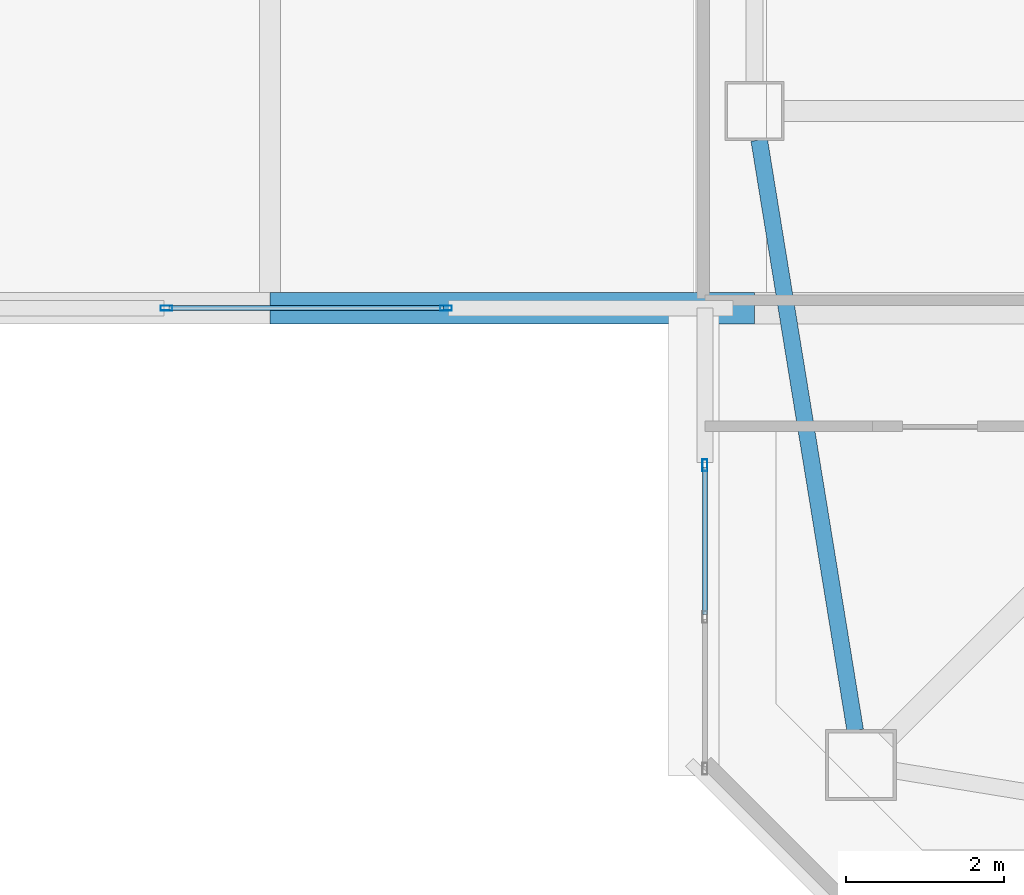
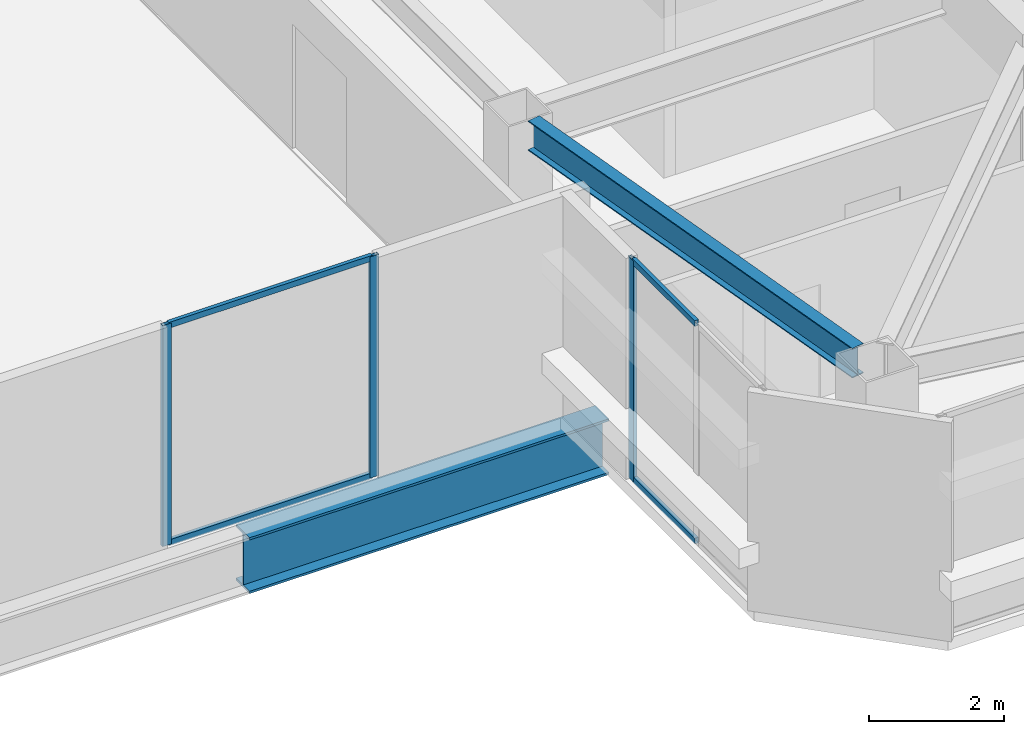
# One storey, part 5 of 51: 7 members, 2 beams, 2 elements without a shape of their own.
"""IFC4 building model written with IfcOpenShell, lengths in metres."""

from ifc_helpers import new_model, si_unit, direction, frame, origin, origin_2d, place, context, subcontext, project, spatial, hollow_rectangle, i_section, extrude, material, material_profile, profile_set, type_object, element, aggregate, save


model = new_model("IFC4")

# Units and contexts
model_context = context("Model", 3, precision=1e-05, world=origin(), true_north=direction((0.0, 1.0)))
body_context = subcontext(model_context, "Body", "Model", "MODEL_VIEW")
ifc_project = project(units=[si_unit("LENGTHUNIT", "METRE"), si_unit("AREAUNIT", "SQUARE_METRE"), si_unit("VOLUMEUNIT", "CUBIC_METRE"), si_unit("PLANEANGLEUNIT", "RADIAN"), si_unit("MASSUNIT", "GRAM", prefix="KILO")], contexts=[model_context])

# Site, building, storey
site_placement = place(None, origin())
site = spatial("IfcSite", under=ifc_project, at=site_placement, CompositionType="ELEMENT")
building_placement = place(site_placement, origin())
building = spatial("IfcBuilding", under=site, at=building_placement, Name="Tashvorn Skyway Center", CompositionType="ELEMENT")
storey_placement = place(building_placement, frame((0.0, 0.0, 251.39990234375)))
storey = spatial("IfcBuildingStorey", under=building, at=storey_placement, Name="L68", CompositionType="ELEMENT", Elevation=251.39990234375)

# Beams
ifc_material_1 = material(Name="Steel ASTM A913 Grade 65", Category="steel")
ifc_material_profile_1 = material_profile(ifc_material_1, i_section(OverallWidth=0.40087890625, OverallDepth=1.010986328125, WebThickness=0.023681640625, FlangeThickness=0.0419921875, at=origin_2d()), Name="W40X297")
ifc_profile_set_1 = profile_set([ifc_material_profile_1], Name="Steel ASTM A913 Grade 65")
beam_type_1 = type_object("IfcBeamType", Name="BM-BEAM-W40X297", PredefinedType="BEAM", material=ifc_profile_set_1)
beam_1_placement = place(storey_placement, frame((20.800048828125, 24.10009765625, -0.725341796875), z_axis=(1.0, 0.0, 0.0), x_axis=(0.0, 1.0, 0.0)))
element("IfcBeam", 1, at=beam_1_placement, inside=storey, type_object=beam_type_1, Name="Sky-Park Truss 1 Bottom Chord Panel 04", PredefinedType="BEAM", context=body_context, shape_type="SweptSolid", body=[
    extrude(i_section(OverallWidth=0.40087890625, OverallDepth=1.010986328125, WebThickness=0.023681640625, FlangeThickness=0.0419921875, at=origin_2d()), origin(), (0.0, 0.0, 1.0), 6.14990234375),
])
ifc_material_2 = material(Name="Steel ASTM A992 Grade 50", Category="steel")
ifc_material_profile_2 = material_profile(ifc_material_2, i_section(OverallWidth=0.2109375, OverallDepth=0.5390625, WebThickness=0.01171875, FlangeThickness=0.018798828125, at=origin_2d()), Name="W21X73")
ifc_profile_set_2 = profile_set([ifc_material_profile_2], Name="Steel ASTM A992 Grade 50")
beam_type_2 = type_object("IfcBeamType", Name="BM-SPANDREL-W21X73", PredefinedType="SPANDREL", material=ifc_profile_set_2)
beam_2_placement = place(storey_placement, frame((27.009521484375, 26.23486328125, 3.510498046875), z_axis=(0.160519005885, -0.987032749583, 0.0), x_axis=(0.987032749583, 0.160519005885, 0.0)))
element("IfcBeam", 2, at=beam_2_placement, inside=storey, type_object=beam_type_2, Name="Tower 1 L68 Spandrel Beam 12", PredefinedType="SPANDREL", context=body_context, shape_type="SweptSolid", body=[
    extrude(i_section(OverallWidth=0.2109375, OverallDepth=0.5390625, WebThickness=0.01171875, FlangeThickness=0.018798828125, at=origin_2d()), origin(), (0.0, 0.0, 1.0), 7.593994140625),
])

# Curtain wall, member
ifc_material_3 = material(Name="Thermally broken bronze-anodized aluminium 6063-T6", Category="aluminium")
curtain_wall_type = type_object("IfcCurtainWallType", Name="CW-CW-SKY", PredefinedType="NOTDEFINED", material=ifc_material_3)
curtain_wall_1_placement = place(storey_placement, origin())
curtain_wall_1 = element("IfcCurtainWall", 3, at=curtain_wall_1_placement, inside=storey, type_object=curtain_wall_type, Name="Tower 1 L68 West Curtain Wall A Glazing Group 1", PredefinedType="NOTDEFINED")
ifc_material_profile_3 = material_profile(ifc_material_3, hollow_rectangle(XDim=0.06494140625, YDim=0.14990234375, WallThickness=0.00390625, at=origin_2d()), Name="ALU-MULL-65x150")
ifc_profile_set_3 = profile_set([ifc_material_profile_3], Name="Thermally broken bronze-anodized aluminium 6063-T6")
member_type_1 = type_object("IfcMemberType", Name="CWM-CW-SKY", PredefinedType="MULLION", material=ifc_profile_set_3)
member_1_placement = place(storey_placement, frame((26.320068359375, 22.107421875, 0.0), z_axis=(0.0, 0.0, 1.0), x_axis=(-1.0, 0.0, 0.0)))
member_1 = element("IfcMember", 4, at=member_1_placement, type_object=member_type_1, Name="CW-SKY mullion 3", PredefinedType="MULLION", context=body_context, shape_type="SweptSolid", body=[
    extrude(hollow_rectangle(XDim=0.06494140625, YDim=0.14990234375, WallThickness=0.00390625, at=origin_2d()), origin(), (0.0, 0.0, 1.0), 4.0),
])

# Curtain wall, members
curtain_wall_2_placement = place(storey_placement, origin())
curtain_wall_2 = element("IfcCurtainWall", 5, at=curtain_wall_2_placement, inside=storey, type_object=curtain_wall_type, Name="Sky-Park L68 Cantilever Gallery South Curtain Wall Glazing Group 1", PredefinedType="NOTDEFINED")
member_2_placement = place(storey_placement, frame((23.0341796875, 24.10009765625, 0.0), z_axis=(0.0, 0.0, 1.0), x_axis=(0.0, -1.0, 0.0)))
member_2 = element("IfcMember", 6, at=member_2_placement, type_object=member_type_1, Name="CW-SKY mullion 1", PredefinedType="MULLION", context=body_context, shape_type="SweptSolid", body=[
    extrude(hollow_rectangle(XDim=0.06494140625, YDim=0.14990234375, WallThickness=0.00390625, at=origin_2d()), origin(), (0.0, 0.0, 1.0), 4.0),
])
member_3_placement = place(storey_placement, frame((19.48583984375, 24.10009765625, 0.0), z_axis=(0.0, 0.0, 1.0), x_axis=(0.0, -1.0, 0.0)))
member_3 = element("IfcMember", 7, at=member_3_placement, type_object=member_type_1, Name="CW-SKY mullion 2", PredefinedType="MULLION", context=body_context, shape_type="SweptSolid", body=[
    extrude(hollow_rectangle(XDim=0.06494140625, YDim=0.14990234375, WallThickness=0.00390625, at=origin_2d()), origin(), (0.0, 0.0, 1.0), 4.0),
])

# Member
ifc_material_profile_4 = material_profile(ifc_material_3, hollow_rectangle(XDim=0.06494140625, YDim=0.10498046875, WallThickness=0.00390625, at=origin_2d()), Name="ALU-TRAN-65x105")
ifc_profile_set_4 = profile_set([ifc_material_profile_4], Name="Thermally broken bronze-anodized aluminium 6063-T6")
member_type_2 = type_object("IfcMemberType", Name="CWT-CW-SKY", PredefinedType="USERDEFINED", material=ifc_profile_set_4)
member_4_placement = place(storey_placement, frame((26.320068359375, 20.21240234375, 0.03271484375), z_axis=(0.0, 1.0, 0.0), x_axis=(-1.0, 0.0, 0.0)))
member_4 = element("IfcMember", 8, at=member_4_placement, type_object=member_type_2, Name="CW-SKY transom 2.1", ObjectType="TRANSOM", PredefinedType="USERDEFINED", context=body_context, shape_type="SweptSolid", body=[
    extrude(hollow_rectangle(XDim=0.06494140625, YDim=0.10498046875, WallThickness=0.00390625, at=origin_2d()), origin(), (0.0, 0.0, 1.0), 1.862548828125),
])

member_5_placement = place(storey_placement, frame((26.320068359375, 20.21240234375, 3.967529296875), z_axis=(0.0, 1.0, 0.0), x_axis=(-1.0, 0.0, 0.0)))
member_5 = element("IfcMember", 9, at=member_5_placement, type_object=member_type_2, Name="CW-SKY transom 2.2", ObjectType="TRANSOM", PredefinedType="USERDEFINED", context=body_context, shape_type="SweptSolid", body=[
    extrude(hollow_rectangle(XDim=0.06494140625, YDim=0.10498046875, WallThickness=0.00390625, at=origin_2d()), origin(), (0.0, 0.0, 1.0), 1.862548828125),
])

aggregate(curtain_wall_1, [member_1, member_4, member_5])

member_6_placement = place(storey_placement, frame((23.001708984375, 24.10009765625, 0.03271484375), z_axis=(-1.0, 0.0, 0.0), x_axis=(0.0, -1.0, 0.0)))
member_6 = element("IfcMember", 10, at=member_6_placement, type_object=member_type_2, Name="CW-SKY transom 1.1", ObjectType="TRANSOM", PredefinedType="USERDEFINED", context=body_context, shape_type="SweptSolid", body=[
    extrude(hollow_rectangle(XDim=0.06494140625, YDim=0.10498046875, WallThickness=0.00390625, at=origin_2d()), origin(), (0.0, 0.0, 1.0), 3.4833984375),
])

member_7_placement = place(storey_placement, frame((23.001708984375, 24.10009765625, 3.967529296875), z_axis=(-1.0, 0.0, 0.0), x_axis=(0.0, -1.0, 0.0)))
member_7 = element("IfcMember", 11, at=member_7_placement, type_object=member_type_2, Name="CW-SKY transom 1.2", ObjectType="TRANSOM", PredefinedType="USERDEFINED", context=body_context, shape_type="SweptSolid", body=[
    extrude(hollow_rectangle(XDim=0.06494140625, YDim=0.10498046875, WallThickness=0.00390625, at=origin_2d()), origin(), (0.0, 0.0, 1.0), 3.4833984375),
])

aggregate(curtain_wall_2, [member_2, member_3, member_6, member_7])

save(model, "model.ifc")
